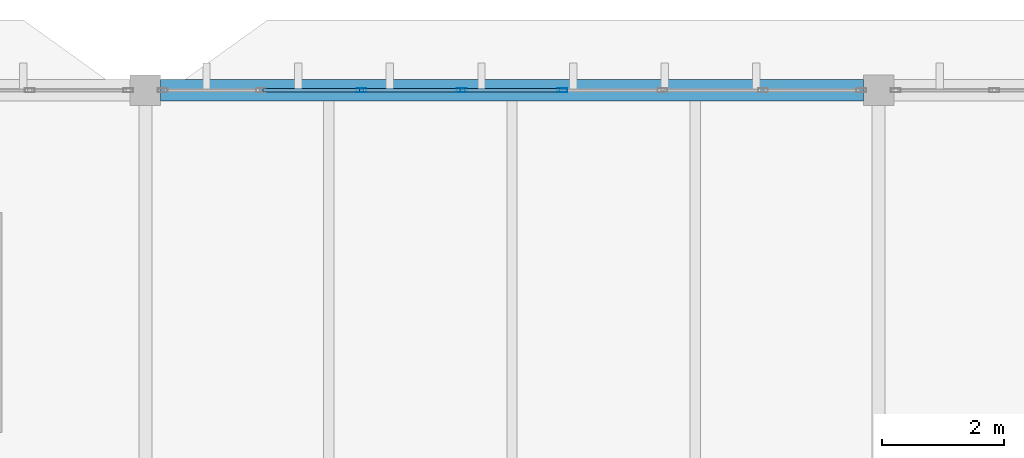
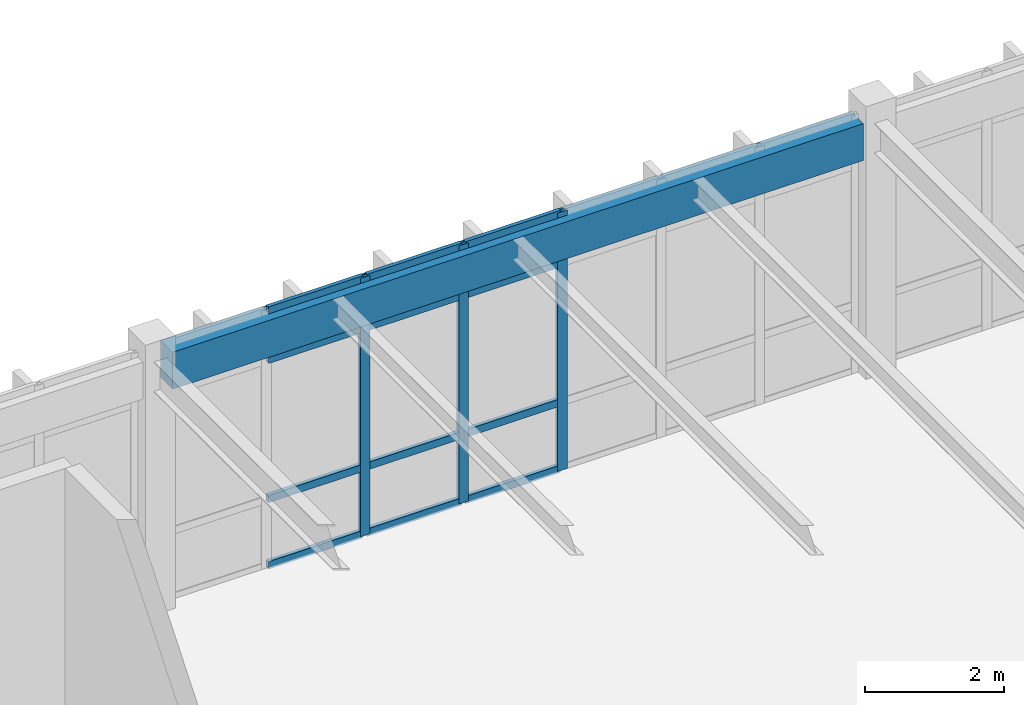
# One storey, part 112 of 236: 15 members, 1 beam, 1 element without a shape of its own.
"""IFC4 building model written with IfcOpenShell, lengths in metres."""

from ifc_helpers import new_model, si_unit, direction, frame, origin, origin_2d, place, context, subcontext, project, spatial, rectangle, hollow_rectangle, extrude, material, layer, layer_set, material_profile, profile_set, type_object, element, aggregate, save


model = new_model("IFC4")

# Units and contexts
model_context = context("Model", 3, precision=1e-05, world=origin(), true_north=direction((0.0, 1.0)))
body_context = subcontext(model_context, "Body", "Model", "MODEL_VIEW")
ifc_project = project(units=[si_unit("LENGTHUNIT", "METRE"), si_unit("AREAUNIT", "SQUARE_METRE"), si_unit("VOLUMEUNIT", "CUBIC_METRE"), si_unit("PLANEANGLEUNIT", "RADIAN"), si_unit("MASSUNIT", "GRAM", prefix="KILO")], contexts=[model_context])

# Site, building, storey
site_placement = place(None, origin())
site = spatial("IfcSite", under=ifc_project, at=site_placement, CompositionType="ELEMENT")
building_placement = place(site_placement, origin())
building = spatial("IfcBuilding", under=site, at=building_placement, Name="Pandanus Reach Market Hall", CompositionType="ELEMENT")
storey_placement = place(building_placement, frame((0.0, 0.0, 5.39990234375)))
storey = spatial("IfcBuildingStorey", under=building, at=storey_placement, Name="L01", CompositionType="ELEMENT", Elevation=5.39990234375)

# Beam
ifc_material_1 = material(Name="Concrete N40 (40 MPa)", Category="concrete")
ifc_material_profile_1 = material_profile(ifc_material_1, rectangle(XDim=0.35009765625, YDim=0.64990234375, at=origin_2d()), Name="RC350x650", Category="LoadBearing")
ifc_profile_set_1 = profile_set([ifc_material_profile_1], Name="Concrete N40 (40 MPa)")
beam_type = type_object("IfcBeamType", Name="BM-RC350-E", PredefinedType="SPANDREL", material=ifc_profile_set_1)
beam_placement = place(storey_placement, frame((120.248046875, 120.0, 4.135009765625), z_axis=(1.0, 0.0, 0.0), x_axis=(0.0, 1.0, 0.0)))
element("IfcBeam", 1, at=beam_placement, inside=storey, type_object=beam_type, Name="Framing beam BM-RC350-E L01.867", PredefinedType="SPANDREL", context=body_context, shape_type="SweptSolid", body=[
    extrude(rectangle(XDim=0.35009765625, YDim=0.64990234375, at=origin_2d()), origin(), (0.0, 0.0, 1.0), 11.50390625),
])

# Curtain wall, members
ifc_material_2 = material(Name="Bronze anodised aluminium and low-E glass", Category="aluminium")
ifc_layer = layer(ifc_material_2, 0.159912109375, Name="CW-39")
ifc_layer_set = layer_set([ifc_layer], Name="Bronze anodised aluminium and low-E glass")
curtain_wall_type = type_object("IfcCurtainWallType", Name="CW-39", PredefinedType="NOTDEFINED", material=ifc_layer_set)
curtain_wall_placement = place(storey_placement, origin())
curtain_wall = element("IfcCurtainWall", 2, at=curtain_wall_placement, inside=storey, type_object=curtain_wall_type, Name="Glazed curtain wall CW-39 CW-0144", PredefinedType="NOTDEFINED")
ifc_material_3 = material(Name="Bronze anodised aluminium", Category="aluminium")
ifc_material_profile_2 = material_profile(ifc_material_3, hollow_rectangle(XDim=0.06494140625, YDim=0.159912109375, WallThickness=0.00390625, at=origin_2d()), Name="ALU65x160", Category="LoadBearing")
ifc_profile_set_2 = profile_set([ifc_material_profile_2], Name="Bronze anodised aluminium")
member_type_1 = type_object("IfcMemberType", Name="CW-M1", PredefinedType="MULLION", material=ifc_profile_set_2)
member_1_placement = place(storey_placement, frame((123.53564453125, 120.0, 0.0), z_axis=(0.0, 0.0, 1.0), x_axis=(0.0, 1.0, 0.0)))
member_1 = element("IfcMember", 3, at=member_1_placement, type_object=member_type_1, Name="CW-39 mullion 3", PredefinedType="MULLION", context=body_context, shape_type="SweptSolid", body=[
    extrude(hollow_rectangle(XDim=0.06494140625, YDim=0.159912109375, WallThickness=0.00390625, at=origin_2d()), origin(), (0.0, 0.0, 1.0), 4.550048828125),
])
member_2_placement = place(storey_placement, frame((125.178466796875, 120.0, 0.0), z_axis=(0.0, 0.0, 1.0), x_axis=(0.0, 1.0, 0.0)))
member_2 = element("IfcMember", 4, at=member_2_placement, type_object=member_type_1, Name="CW-39 mullion 4", PredefinedType="MULLION", context=body_context, shape_type="SweptSolid", body=[
    extrude(hollow_rectangle(XDim=0.06494140625, YDim=0.159912109375, WallThickness=0.00390625, at=origin_2d()), origin(), (0.0, 0.0, 1.0), 4.550048828125),
])
member_3_placement = place(storey_placement, frame((126.821533203125, 120.0, 0.0), z_axis=(0.0, 0.0, 1.0), x_axis=(0.0, 1.0, 0.0)))
member_3 = element("IfcMember", 5, at=member_3_placement, type_object=member_type_1, Name="CW-39 mullion 5", PredefinedType="MULLION", context=body_context, shape_type="SweptSolid", body=[
    extrude(hollow_rectangle(XDim=0.06494140625, YDim=0.159912109375, WallThickness=0.00390625, at=origin_2d()), origin(), (0.0, 0.0, 1.0), 4.550048828125),
])
ifc_material_profile_3 = material_profile(ifc_material_3, hollow_rectangle(XDim=0.06494140625, YDim=0.1298828125, WallThickness=0.00390625, at=origin_2d()), Name="ALU65x130", Category="LoadBearing")
ifc_profile_set_3 = profile_set([ifc_material_profile_3], Name="Bronze anodised aluminium")
member_type_2 = type_object("IfcMemberType", Name="CW-T1", PredefinedType="USERDEFINED", material=ifc_profile_set_3)
member_4_placement = place(storey_placement, frame((121.92529296875, 120.0, 0.03271484375), z_axis=(1.0, 0.0, 0.0), x_axis=(0.0, 1.0, 0.0)))
member_4 = element("IfcMember", 6, at=member_4_placement, type_object=member_type_2, Name="CW-39 transom 2.1", ObjectType="TRANSOM", PredefinedType="USERDEFINED", context=body_context, shape_type="SweptSolid", body=[
    extrude(hollow_rectangle(XDim=0.06494140625, YDim=0.1298828125, WallThickness=0.00390625, at=origin_2d()), origin(), (0.0, 0.0, 1.0), 1.577880859375),
])
member_5_placement = place(storey_placement, frame((121.92529296875, 120.0, 1.2001953125), z_axis=(1.0, 0.0, 0.0), x_axis=(0.0, 1.0, 0.0)))
member_5 = element("IfcMember", 7, at=member_5_placement, type_object=member_type_2, Name="CW-39 transom 2.2", ObjectType="TRANSOM", PredefinedType="USERDEFINED", context=body_context, shape_type="SweptSolid", body=[
    extrude(hollow_rectangle(XDim=0.06494140625, YDim=0.1298828125, WallThickness=0.00390625, at=origin_2d()), origin(), (0.0, 0.0, 1.0), 1.577880859375),
])
member_6_placement = place(storey_placement, frame((121.92529296875, 120.0, 3.650146484375), z_axis=(1.0, 0.0, 0.0), x_axis=(0.0, 1.0, 0.0)))
member_6 = element("IfcMember", 8, at=member_6_placement, type_object=member_type_2, Name="CW-39 transom 2.3", ObjectType="TRANSOM", PredefinedType="USERDEFINED", context=body_context, shape_type="SweptSolid", body=[
    extrude(hollow_rectangle(XDim=0.06494140625, YDim=0.1298828125, WallThickness=0.00390625, at=origin_2d()), origin(), (0.0, 0.0, 1.0), 1.577880859375),
])
member_7_placement = place(storey_placement, frame((121.92529296875, 120.0, 4.517578125), z_axis=(1.0, 0.0, 0.0), x_axis=(0.0, 1.0, 0.0)))
member_7 = element("IfcMember", 9, at=member_7_placement, type_object=member_type_2, Name="CW-39 transom 2.4", ObjectType="TRANSOM", PredefinedType="USERDEFINED", context=body_context, shape_type="SweptSolid", body=[
    extrude(hollow_rectangle(XDim=0.06494140625, YDim=0.1298828125, WallThickness=0.00390625, at=origin_2d()), origin(), (0.0, 0.0, 1.0), 1.577880859375),
])
member_8_placement = place(storey_placement, frame((123.568115234375, 120.0, 0.03271484375), z_axis=(1.0, 0.0, 0.0), x_axis=(0.0, 1.0, 0.0)))
member_8 = element("IfcMember", 10, at=member_8_placement, type_object=member_type_2, Name="CW-39 transom 3.1", ObjectType="TRANSOM", PredefinedType="USERDEFINED", context=body_context, shape_type="SweptSolid", body=[
    extrude(hollow_rectangle(XDim=0.06494140625, YDim=0.1298828125, WallThickness=0.00390625, at=origin_2d()), origin(), (0.0, 0.0, 1.0), 1.577880859375),
])
member_9_placement = place(storey_placement, frame((123.568115234375, 120.0, 1.2001953125), z_axis=(1.0, 0.0, 0.0), x_axis=(0.0, 1.0, 0.0)))
member_9 = element("IfcMember", 11, at=member_9_placement, type_object=member_type_2, Name="CW-39 transom 3.2", ObjectType="TRANSOM", PredefinedType="USERDEFINED", context=body_context, shape_type="SweptSolid", body=[
    extrude(hollow_rectangle(XDim=0.06494140625, YDim=0.1298828125, WallThickness=0.00390625, at=origin_2d()), origin(), (0.0, 0.0, 1.0), 1.577880859375),
])
member_10_placement = place(storey_placement, frame((123.568115234375, 120.0, 3.650146484375), z_axis=(1.0, 0.0, 0.0), x_axis=(0.0, 1.0, 0.0)))
member_10 = element("IfcMember", 12, at=member_10_placement, type_object=member_type_2, Name="CW-39 transom 3.3", ObjectType="TRANSOM", PredefinedType="USERDEFINED", context=body_context, shape_type="SweptSolid", body=[
    extrude(hollow_rectangle(XDim=0.06494140625, YDim=0.1298828125, WallThickness=0.00390625, at=origin_2d()), origin(), (0.0, 0.0, 1.0), 1.577880859375),
])
member_11_placement = place(storey_placement, frame((123.568115234375, 120.0, 4.517578125), z_axis=(1.0, 0.0, 0.0), x_axis=(0.0, 1.0, 0.0)))
member_11 = element("IfcMember", 13, at=member_11_placement, type_object=member_type_2, Name="CW-39 transom 3.4", ObjectType="TRANSOM", PredefinedType="USERDEFINED", context=body_context, shape_type="SweptSolid", body=[
    extrude(hollow_rectangle(XDim=0.06494140625, YDim=0.1298828125, WallThickness=0.00390625, at=origin_2d()), origin(), (0.0, 0.0, 1.0), 1.577880859375),
])
member_12_placement = place(storey_placement, frame((125.211181640625, 120.0, 0.03271484375), z_axis=(1.0, 0.0, 0.0), x_axis=(0.0, 1.0, 0.0)))
member_12 = element("IfcMember", 14, at=member_12_placement, type_object=member_type_2, Name="CW-39 transom 4.1", ObjectType="TRANSOM", PredefinedType="USERDEFINED", context=body_context, shape_type="SweptSolid", body=[
    extrude(hollow_rectangle(XDim=0.06494140625, YDim=0.1298828125, WallThickness=0.00390625, at=origin_2d()), origin(), (0.0, 0.0, 1.0), 1.57763671875),
])
member_13_placement = place(storey_placement, frame((125.211181640625, 120.0, 1.2001953125), z_axis=(1.0, 0.0, 0.0), x_axis=(0.0, 1.0, 0.0)))
member_13 = element("IfcMember", 15, at=member_13_placement, type_object=member_type_2, Name="CW-39 transom 4.2", ObjectType="TRANSOM", PredefinedType="USERDEFINED", context=body_context, shape_type="SweptSolid", body=[
    extrude(hollow_rectangle(XDim=0.06494140625, YDim=0.1298828125, WallThickness=0.00390625, at=origin_2d()), origin(), (0.0, 0.0, 1.0), 1.57763671875),
])
member_14_placement = place(storey_placement, frame((125.211181640625, 120.0, 3.650146484375), z_axis=(1.0, 0.0, 0.0), x_axis=(0.0, 1.0, 0.0)))
member_14 = element("IfcMember", 16, at=member_14_placement, type_object=member_type_2, Name="CW-39 transom 4.3", ObjectType="TRANSOM", PredefinedType="USERDEFINED", context=body_context, shape_type="SweptSolid", body=[
    extrude(hollow_rectangle(XDim=0.06494140625, YDim=0.1298828125, WallThickness=0.00390625, at=origin_2d()), origin(), (0.0, 0.0, 1.0), 1.57763671875),
])
member_15_placement = place(storey_placement, frame((125.211181640625, 120.0, 4.517578125), z_axis=(1.0, 0.0, 0.0), x_axis=(0.0, 1.0, 0.0)))
member_15 = element("IfcMember", 17, at=member_15_placement, type_object=member_type_2, Name="CW-39 transom 4.4", ObjectType="TRANSOM", PredefinedType="USERDEFINED", context=body_context, shape_type="SweptSolid", body=[
    extrude(hollow_rectangle(XDim=0.06494140625, YDim=0.1298828125, WallThickness=0.00390625, at=origin_2d()), origin(), (0.0, 0.0, 1.0), 1.57763671875),
])
aggregate(curtain_wall, [member_1, member_2, member_3, member_4, member_5, member_6, member_7, member_8, member_9, member_10, member_11, member_12, member_13, member_14, member_15])

save(model, "model.ifc")
